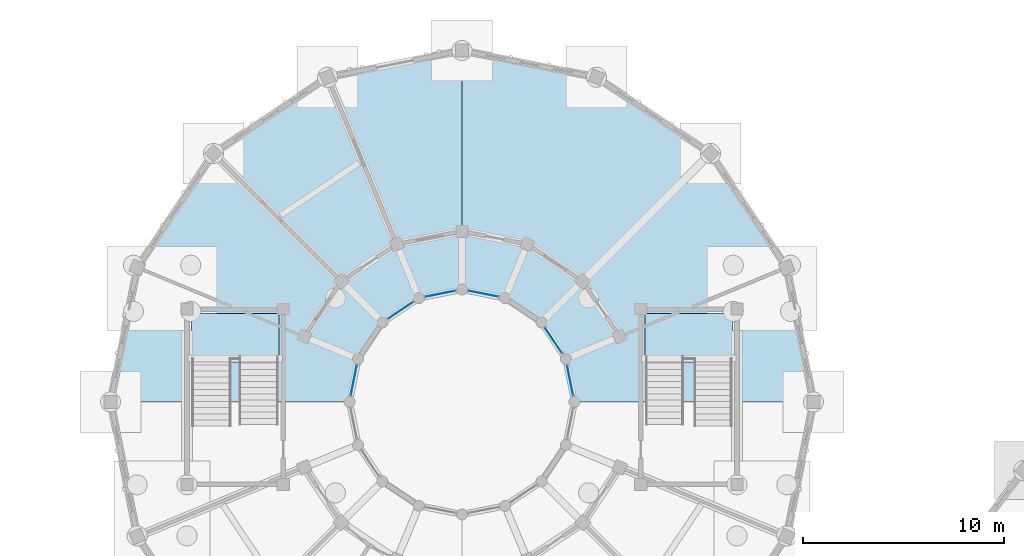
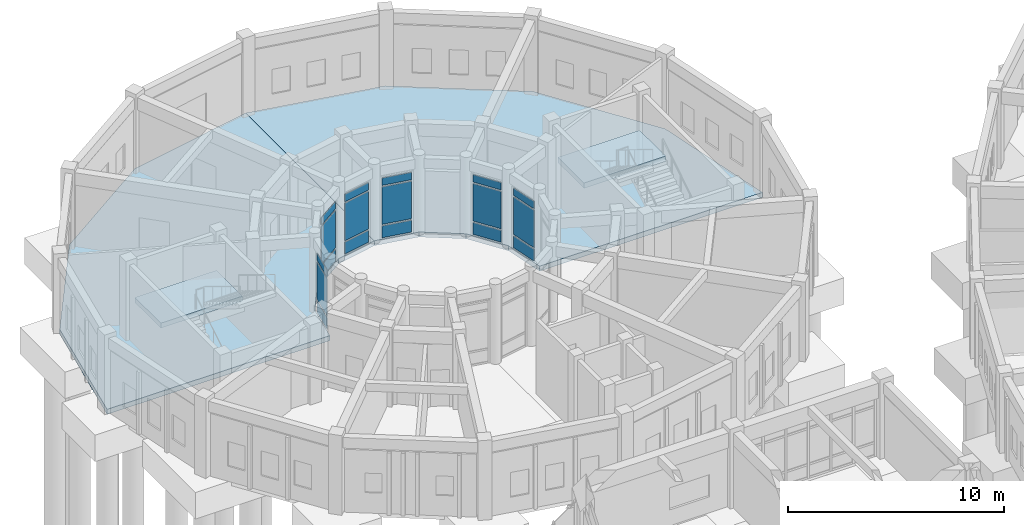
# One storey, part 109 of 153: 18 plates, 4 slabs, 8 elements without a shape of their own.
"""IFC4 building model written with IfcOpenShell, lengths in metres."""

from ifc_helpers import new_model, si_unit, direction, frame, origin, origin_2d, place, context, subcontext, project, spatial, polyline, rectangle, outline, extrude, material, layer, layer_set, type_object, element, aggregate, save


model = new_model("IFC4")

# Units and contexts
model_context = context("Model", 3, precision=1e-05, world=origin(), true_north=direction((0.0, 1.0)))
body_context = subcontext(model_context, "Body", "Model", "MODEL_VIEW")
ifc_project = project(units=[si_unit("LENGTHUNIT", "METRE"), si_unit("AREAUNIT", "SQUARE_METRE"), si_unit("VOLUMEUNIT", "CUBIC_METRE"), si_unit("PLANEANGLEUNIT", "RADIAN"), si_unit("MASSUNIT", "GRAM", prefix="KILO")], contexts=[model_context])

# Site, building, storey
site_placement = place(None, origin())
site = spatial("IfcSite", under=ifc_project, at=site_placement, CompositionType="ELEMENT")
building_placement = place(site_placement, origin())
building = spatial("IfcBuilding", under=site, at=building_placement, Name="Celadon Cloister-Ring School", CompositionType="ELEMENT")
storey_placement = place(building_placement, origin())
storey = spatial("IfcBuildingStorey", under=building, at=storey_placement, Name="L00", CompositionType="ELEMENT", Elevation=0.0)

# Curtain wall, plates
ifc_material_1 = material(Name="Aluminium EN AW-6063 T6", Category="aluminium")
curtain_wall_type = type_object("IfcCurtainWallType", Name="CW-03", PredefinedType="USERDEFINED", material=ifc_material_1)
curtain_wall_1_placement = place(storey_placement, origin())
curtain_wall_1 = element("IfcCurtainWall", 1, at=curtain_wall_1_placement, inside=storey, type_object=curtain_wall_type, Name="Curtain Wall 0079", ObjectType="CURTAIN WALL", PredefinedType="USERDEFINED")
ifc_material_2 = material(Name="Tempered laminated insulating glass", Category="glass")
ifc_layer_1 = layer(ifc_material_2, 0.02001953125)
ifc_layer_set_1 = layer_set([ifc_layer_1], Name="Tempered laminated insulating glass")
plate_type = type_object("IfcPlateType", Name="CPN-01", PredefinedType="CURTAIN_PANEL", material=ifc_layer_set_1)
plate_1_placement = place(storey_placement, frame((25.5869140625, 98.071533203125, 0.090087890625), z_axis=(0.0, 0.0, 1.0), x_axis=(-0.194586131301, 0.980885435464, 0.0)))
plate_1 = element("IfcPlate", 2, at=plate_1_placement, type_object=plate_type, Name="CW-03 panel 1.1", PredefinedType="CURTAIN_PANEL", context=body_context, shape_type="SweptSolid", body=[
    extrude(rectangle(XDim=1.4443359375, YDim=0.02001953125, at=origin_2d()), origin(), (0.0, 0.0, 1.0), 0.6650390625),
])
plate_2_placement = place(storey_placement, frame((25.5869140625, 98.071533203125, 0.8447265625), z_axis=(0.0, 0.0, 1.0), x_axis=(-0.194586131301, 0.980885435464, 0.0)))
plate_2 = element("IfcPlate", 3, at=plate_2_placement, type_object=plate_type, Name="CW-03 panel 1.2", PredefinedType="CURTAIN_PANEL", context=body_context, shape_type="SweptSolid", body=[
    extrude(rectangle(XDim=1.4443359375, YDim=0.02001953125, at=origin_2d()), origin(), (0.0, 0.0, 1.0), 2.110107421875),
])
plate_3_placement = place(storey_placement, frame((25.5869140625, 98.071533203125, 3.044921875), z_axis=(0.0, 0.0, 1.0), x_axis=(-0.194586131301, 0.980885435464, 0.0)))
plate_3 = element("IfcPlate", 4, at=plate_3_placement, type_object=plate_type, Name="CW-03 panel 1.3", PredefinedType="CURTAIN_PANEL", context=body_context, shape_type="SweptSolid", body=[
    extrude(rectangle(XDim=1.4443359375, YDim=0.02001953125, at=origin_2d()), origin(), (0.0, 0.0, 1.0), 0.4150390625),
])
aggregate(curtain_wall_1, [plate_1, plate_2, plate_3])

curtain_wall_2_placement = place(storey_placement, origin())
curtain_wall_2 = element("IfcCurtainWall", 5, at=curtain_wall_2_placement, inside=storey, type_object=curtain_wall_type, Name="Curtain Wall 0080", ObjectType="CURTAIN WALL", PredefinedType="USERDEFINED")
plate_4_placement = place(storey_placement, frame((24.76708984375, 100.051513671875, 0.090087890625), z_axis=(0.0, 0.0, 1.0), x_axis=(-0.555547066224, 0.831485091394, 0.0)))
plate_4 = element("IfcPlate", 6, at=plate_4_placement, type_object=plate_type, Name="CW-03 panel 1.1", PredefinedType="CURTAIN_PANEL", context=body_context, shape_type="SweptSolid", body=[
    extrude(rectangle(XDim=1.4443359375, YDim=0.02001953125, at=origin_2d()), origin(), (0.0, 0.0, 1.0), 0.6650390625),
])
plate_5_placement = place(storey_placement, frame((24.76708984375, 100.051513671875, 0.8447265625), z_axis=(0.0, 0.0, 1.0), x_axis=(-0.555547066224, 0.831485091394, 0.0)))
plate_5 = element("IfcPlate", 7, at=plate_5_placement, type_object=plate_type, Name="CW-03 panel 1.2", PredefinedType="CURTAIN_PANEL", context=body_context, shape_type="SweptSolid", body=[
    extrude(rectangle(XDim=1.4443359375, YDim=0.02001953125, at=origin_2d()), origin(), (0.0, 0.0, 1.0), 2.110107421875),
])
plate_6_placement = place(storey_placement, frame((24.76708984375, 100.051513671875, 3.044921875), z_axis=(0.0, 0.0, 1.0), x_axis=(-0.555547066224, 0.831485091394, 0.0)))
plate_6 = element("IfcPlate", 8, at=plate_6_placement, type_object=plate_type, Name="CW-03 panel 1.3", PredefinedType="CURTAIN_PANEL", context=body_context, shape_type="SweptSolid", body=[
    extrude(rectangle(XDim=1.4443359375, YDim=0.02001953125, at=origin_2d()), origin(), (0.0, 0.0, 1.0), 0.4150390625),
])
aggregate(curtain_wall_2, [plate_4, plate_5, plate_6])

curtain_wall_3_placement = place(storey_placement, origin())
curtain_wall_3 = element("IfcCurtainWall", 9, at=curtain_wall_3_placement, inside=storey, type_object=curtain_wall_type, Name="Curtain Wall 0081", ObjectType="CURTAIN WALL", PredefinedType="USERDEFINED")
plate_7_placement = place(storey_placement, frame((21.271484375, 102.386962890625, 0.090087890625), z_axis=(0.0, 0.0, 1.0), x_axis=(-0.980885435464, 0.194586131301, 0.0)))
plate_7 = element("IfcPlate", 10, at=plate_7_placement, type_object=plate_type, Name="CW-03 panel 1.1", PredefinedType="CURTAIN_PANEL", context=body_context, shape_type="SweptSolid", body=[
    extrude(rectangle(XDim=1.4443359375, YDim=0.02001953125, at=origin_2d()), origin(), (0.0, 0.0, 1.0), 0.6650390625),
])
plate_8_placement = place(storey_placement, frame((21.271484375, 102.386962890625, 0.8447265625), z_axis=(0.0, 0.0, 1.0), x_axis=(-0.980885435464, 0.194586131301, 0.0)))
plate_8 = element("IfcPlate", 11, at=plate_8_placement, type_object=plate_type, Name="CW-03 panel 1.2", PredefinedType="CURTAIN_PANEL", context=body_context, shape_type="SweptSolid", body=[
    extrude(rectangle(XDim=1.4443359375, YDim=0.02001953125, at=origin_2d()), origin(), (0.0, 0.0, 1.0), 2.110107421875),
])
plate_9_placement = place(storey_placement, frame((21.271484375, 102.386962890625, 3.044921875), z_axis=(0.0, 0.0, 1.0), x_axis=(-0.980885435464, 0.194586131301, 0.0)))
plate_9 = element("IfcPlate", 12, at=plate_9_placement, type_object=plate_type, Name="CW-03 panel 1.3", PredefinedType="CURTAIN_PANEL", context=body_context, shape_type="SweptSolid", body=[
    extrude(rectangle(XDim=1.4443359375, YDim=0.02001953125, at=origin_2d()), origin(), (0.0, 0.0, 1.0), 0.4150390625),
])
aggregate(curtain_wall_3, [plate_7, plate_8, plate_9])

curtain_wall_4_placement = place(storey_placement, origin())
curtain_wall_4 = element("IfcCurtainWall", 13, at=curtain_wall_4_placement, inside=storey, type_object=curtain_wall_type, Name="Curtain Wall 0082", ObjectType="CURTAIN WALL", PredefinedType="USERDEFINED")
plate_10_placement = place(storey_placement, frame((19.12841796875, 102.386962890625, 0.090087890625), z_axis=(0.0, 0.0, 1.0), x_axis=(-0.980885435464, -0.194586131301, 0.0)))
plate_10 = element("IfcPlate", 14, at=plate_10_placement, type_object=plate_type, Name="CW-03 panel 1.1", PredefinedType="CURTAIN_PANEL", context=body_context, shape_type="SweptSolid", body=[
    extrude(rectangle(XDim=1.4443359375, YDim=0.02001953125, at=origin_2d()), origin(), (0.0, 0.0, 1.0), 0.6650390625),
])
plate_11_placement = place(storey_placement, frame((19.12841796875, 102.386962890625, 0.8447265625), z_axis=(0.0, 0.0, 1.0), x_axis=(-0.980885435464, -0.194586131301, 0.0)))
plate_11 = element("IfcPlate", 15, at=plate_11_placement, type_object=plate_type, Name="CW-03 panel 1.2", PredefinedType="CURTAIN_PANEL", context=body_context, shape_type="SweptSolid", body=[
    extrude(rectangle(XDim=1.4443359375, YDim=0.02001953125, at=origin_2d()), origin(), (0.0, 0.0, 1.0), 2.110107421875),
])
plate_12_placement = place(storey_placement, frame((19.12841796875, 102.386962890625, 3.044921875), z_axis=(0.0, 0.0, 1.0), x_axis=(-0.980885435464, -0.194586131301, 0.0)))
plate_12 = element("IfcPlate", 16, at=plate_12_placement, type_object=plate_type, Name="CW-03 panel 1.3", PredefinedType="CURTAIN_PANEL", context=body_context, shape_type="SweptSolid", body=[
    extrude(rectangle(XDim=1.4443359375, YDim=0.02001953125, at=origin_2d()), origin(), (0.0, 0.0, 1.0), 0.4150390625),
])
aggregate(curtain_wall_4, [plate_10, plate_11, plate_12])

curtain_wall_5_placement = place(storey_placement, origin())
curtain_wall_5 = element("IfcCurtainWall", 17, at=curtain_wall_5_placement, inside=storey, type_object=curtain_wall_type, Name="Curtain Wall 0083", ObjectType="CURTAIN WALL", PredefinedType="USERDEFINED")
plate_13_placement = place(storey_placement, frame((17.1484375, 101.56689453125, 0.090087890625), z_axis=(0.0, 0.0, 1.0), x_axis=(-0.831485091394, -0.555547066224, 0.0)))
plate_13 = element("IfcPlate", 18, at=plate_13_placement, type_object=plate_type, Name="CW-03 panel 1.1", PredefinedType="CURTAIN_PANEL", context=body_context, shape_type="SweptSolid", body=[
    extrude(rectangle(XDim=1.4443359375, YDim=0.02001953125, at=origin_2d()), origin(), (0.0, 0.0, 1.0), 0.6650390625),
])
plate_14_placement = place(storey_placement, frame((17.1484375, 101.56689453125, 0.8447265625), z_axis=(0.0, 0.0, 1.0), x_axis=(-0.831485091394, -0.555547066224, 0.0)))
plate_14 = element("IfcPlate", 19, at=plate_14_placement, type_object=plate_type, Name="CW-03 panel 1.2", PredefinedType="CURTAIN_PANEL", context=body_context, shape_type="SweptSolid", body=[
    extrude(rectangle(XDim=1.4443359375, YDim=0.02001953125, at=origin_2d()), origin(), (0.0, 0.0, 1.0), 2.110107421875),
])
plate_15_placement = place(storey_placement, frame((17.1484375, 101.56689453125, 3.044921875), z_axis=(0.0, 0.0, 1.0), x_axis=(-0.831485091394, -0.555547066224, 0.0)))
plate_15 = element("IfcPlate", 20, at=plate_15_placement, type_object=plate_type, Name="CW-03 panel 1.3", PredefinedType="CURTAIN_PANEL", context=body_context, shape_type="SweptSolid", body=[
    extrude(rectangle(XDim=1.4443359375, YDim=0.02001953125, at=origin_2d()), origin(), (0.0, 0.0, 1.0), 0.4150390625),
])
aggregate(curtain_wall_5, [plate_13, plate_14, plate_15])

curtain_wall_6_placement = place(storey_placement, origin())
curtain_wall_6 = element("IfcCurtainWall", 21, at=curtain_wall_6_placement, inside=storey, type_object=curtain_wall_type, Name="Curtain Wall 0084", ObjectType="CURTAIN WALL", PredefinedType="USERDEFINED")
plate_16_placement = place(storey_placement, frame((14.81298828125, 98.071533203125, 0.090087890625), z_axis=(0.0, 0.0, 1.0), x_axis=(-0.194586131301, -0.980885435464, 0.0)))
plate_16 = element("IfcPlate", 22, at=plate_16_placement, type_object=plate_type, Name="CW-03 panel 1.1", PredefinedType="CURTAIN_PANEL", context=body_context, shape_type="SweptSolid", body=[
    extrude(rectangle(XDim=1.4443359375, YDim=0.02001953125, at=origin_2d()), origin(), (0.0, 0.0, 1.0), 0.6650390625),
])
plate_17_placement = place(storey_placement, frame((14.81298828125, 98.071533203125, 0.8447265625), z_axis=(0.0, 0.0, 1.0), x_axis=(-0.194586131301, -0.980885435464, 0.0)))
plate_17 = element("IfcPlate", 23, at=plate_17_placement, type_object=plate_type, Name="CW-03 panel 1.2", PredefinedType="CURTAIN_PANEL", context=body_context, shape_type="SweptSolid", body=[
    extrude(rectangle(XDim=1.4443359375, YDim=0.02001953125, at=origin_2d()), origin(), (0.0, 0.0, 1.0), 2.110107421875),
])
plate_18_placement = place(storey_placement, frame((14.81298828125, 98.071533203125, 3.044921875), z_axis=(0.0, 0.0, 1.0), x_axis=(-0.194586131301, -0.980885435464, 0.0)))
plate_18 = element("IfcPlate", 24, at=plate_18_placement, type_object=plate_type, Name="CW-03 panel 1.3", PredefinedType="CURTAIN_PANEL", context=body_context, shape_type="SweptSolid", body=[
    extrude(rectangle(XDim=1.4443359375, YDim=0.02001953125, at=origin_2d()), origin(), (0.0, 0.0, 1.0), 0.4150390625),
])
aggregate(curtain_wall_6, [plate_16, plate_17, plate_18])

# Slabs
ifc_material_3 = material(Name="Concrete C35/45", Category="concrete")
ifc_layer_2 = layer(ifc_material_3, 0.280029296875)
ifc_layer_set_2 = layer_set([ifc_layer_2], Name="Concrete C35/45")
slab_type_1 = type_object("IfcSlabType", Name="SL-BS2", PredefinedType="BASESLAB", material=ifc_layer_set_2)
slab_1_placement = place(storey_placement, frame((0.0, 0.0, -0.280029296875)))
element("IfcSlab", 25, at=slab_1_placement, inside=storey, type_object=slab_type_1, Name="V3 Ring L00 Sector 0029", PredefinedType="BASESLAB", context=body_context, shape_type="SweptSolid", body=[
    extrude(outline(polyline([(37.699951171875, 97.0), (36.367919921875, 103.697021484375), (32.573974609375, 109.3740234375), (26.89697265625, 113.16796875), (20.199951171875, 114.5), (20.199951171875, 102.60009765625), (22.343017578125, 102.174072265625), (24.159912109375, 100.9599609375), (25.3740234375, 99.14306640625), (25.800048828125, 97.0), (37.699951171875, 97.0)])), origin(), (0.0, 0.0, 1.0), 0.280029296875),
])
slab_2_placement = place(storey_placement, frame((0.0, 0.0, -0.280029296875)))
element("IfcSlab", 26, at=slab_2_placement, inside=storey, type_object=slab_type_1, Name="V3 Ring L00 Sector 0030", PredefinedType="BASESLAB", context=body_context, shape_type="SweptSolid", body=[
    extrude(outline(polyline([(20.199951171875, 114.5), (13.5029296875, 113.16796875), (7.825927734375, 109.3740234375), (4.031982421875, 103.697021484375), (2.699951171875, 97.0), (14.60009765625, 97.0), (15.02587890625, 99.14306640625), (16.239990234375, 100.9599609375), (18.056884765625, 102.174072265625), (20.199951171875, 102.60009765625), (20.199951171875, 114.5)])), origin(), (0.0, 0.0, 1.0), 0.280029296875),
])

# Stair, slab
ifc_material_4 = material(Name="Concrete C35/45", Category="concrete")
stair_type_1 = type_object("IfcStairType", Name="ST-01", PredefinedType="HALF_TURN_STAIR", material=ifc_material_4)
stair_1_placement = place(storey_placement, origin())
stair_1 = element("IfcStair", 27, at=stair_1_placement, inside=storey, type_object=stair_type_1, Name="Exit Stair ST-V3A L00", PredefinedType="HALF_TURN_STAIR")
ifc_material_5 = material(Name="Concrete C35/45", Category="concrete")
ifc_layer_3 = layer(ifc_material_5, 0.280029296875)
ifc_layer_set_3 = layer_set([ifc_layer_3], Name="Concrete C35/45")
slab_type_2 = type_object("IfcSlabType", Name="SL-LD1", PredefinedType="LANDING", material=ifc_layer_set_3)
slab_3_placement = place(storey_placement, frame((0.0, 0.0, 1.969970703125)))
slab_3 = element("IfcSlab", 28, at=slab_3_placement, type_object=slab_type_2, Name="ST-01 landing 1", PredefinedType="LANDING", context=body_context, shape_type="SweptSolid", body=[
    extrude(outline(polyline([(6.719970703125, 98.9951171875), (11.080078125, 98.9951171875), (11.080078125, 101.39990234375), (6.719970703125, 101.39990234375), (6.719970703125, 98.9951171875)])), origin(), (0.0, 0.0, 1.0), 0.280029296875),
])
aggregate(stair_1, [slab_3])

ifc_material_6 = material(Name="Concrete C35/45", Category="concrete")
stair_type_2 = type_object("IfcStairType", Name="ST-03", PredefinedType="HALF_TURN_STAIR", material=ifc_material_6)
stair_2_placement = place(storey_placement, origin())
stair_2 = element("IfcStair", 29, at=stair_2_placement, inside=storey, type_object=stair_type_2, Name="Exit Stair ST-V3B L00", PredefinedType="HALF_TURN_STAIR")
ifc_material_7 = material(Name="Concrete C35/45", Category="concrete")
ifc_layer_4 = layer(ifc_material_7, 0.300048828125)
ifc_layer_set_4 = layer_set([ifc_layer_4], Name="Concrete C35/45")
slab_type_3 = type_object("IfcSlabType", Name="SL-LD2", PredefinedType="LANDING", material=ifc_layer_set_4)
slab_4_placement = place(storey_placement, frame((0.0, 0.0, 1.949951171875)))
slab_4 = element("IfcSlab", 30, at=slab_4_placement, type_object=slab_type_3, Name="ST-03 landing 1", PredefinedType="LANDING", context=body_context, shape_type="SweptSolid", body=[
    extrude(outline(polyline([(29.320068359375, 98.9951171875), (33.679931640625, 98.9951171875), (33.679931640625, 101.39990234375), (29.320068359375, 101.39990234375), (29.320068359375, 98.9951171875)])), origin(), (0.0, 0.0, 1.0), 0.300048828125),
])
aggregate(stair_2, [slab_4])

save(model, "model.ifc")
